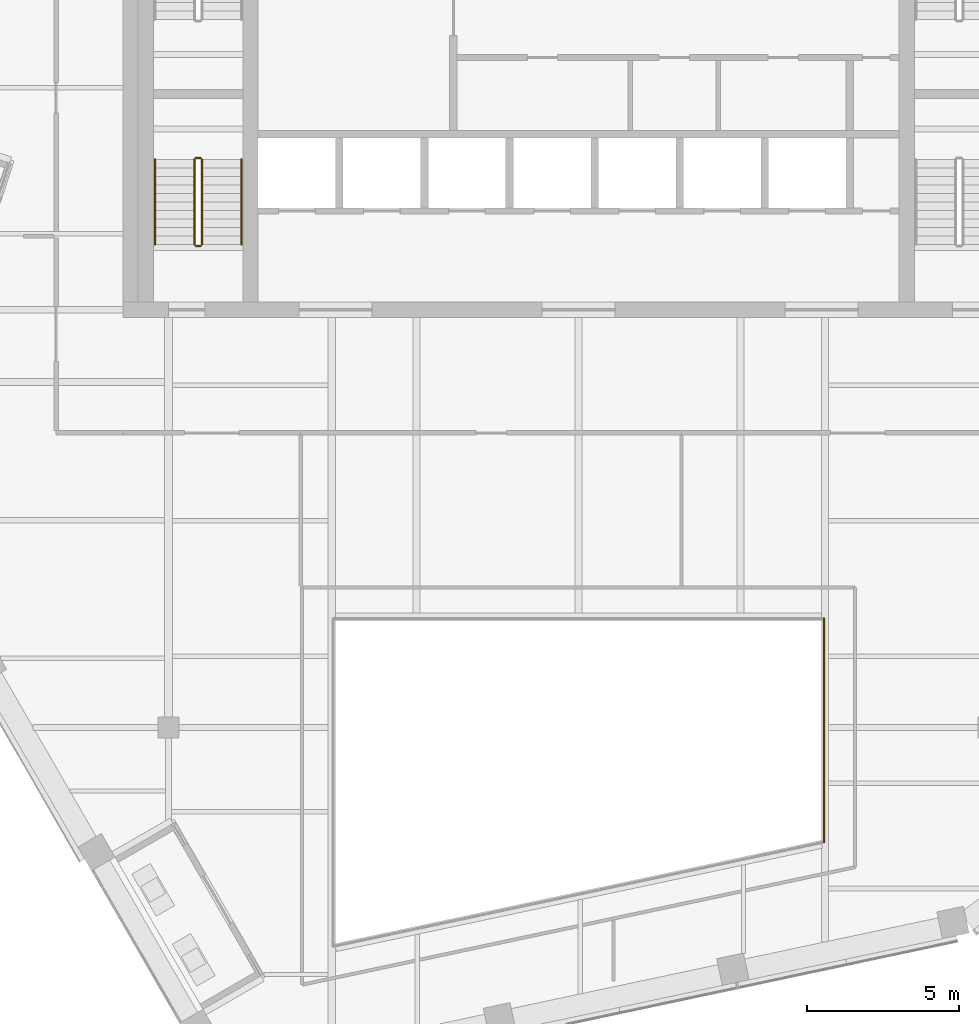
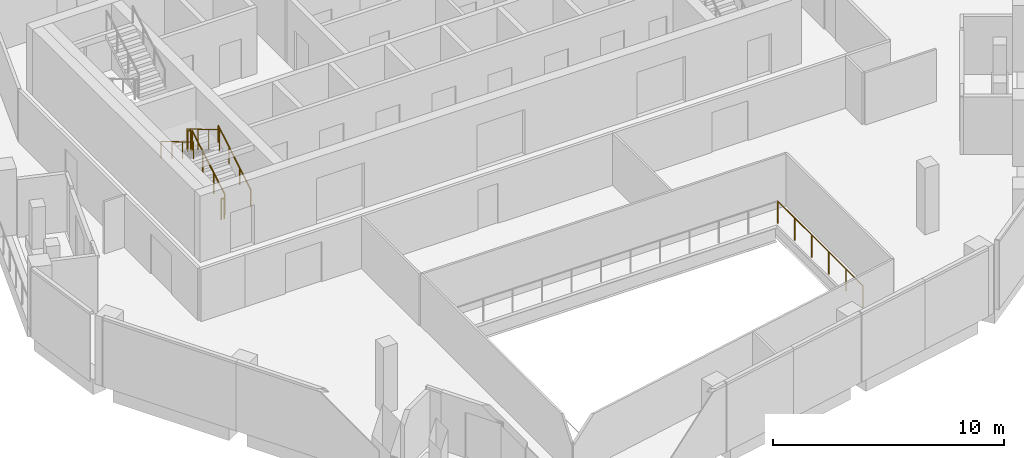
# One storey, part 16 of 20: 7 railings.
"""IFC4 building model written with IfcOpenShell, lengths in metres."""

from ifc_helpers import new_model, si_unit, direction, frame, origin, origin_2d, place, context, subcontext, project, spatial, circle, extrude, material, type_object, element, save


model = new_model("IFC4")

# Units and contexts
model_context = context("Model", 3, precision=1e-05, world=origin(), true_north=direction((0.0, 1.0)))
body_context = subcontext(model_context, "Body", "Model", "MODEL_VIEW")
ifc_project = project(units=[si_unit("LENGTHUNIT", "METRE"), si_unit("AREAUNIT", "SQUARE_METRE"), si_unit("VOLUMEUNIT", "CUBIC_METRE"), si_unit("PLANEANGLEUNIT", "RADIAN"), si_unit("MASSUNIT", "GRAM", prefix="KILO")], contexts=[model_context])

# Site, building, storey
site_placement = place(None, origin())
site = spatial("IfcSite", under=ifc_project, at=site_placement, CompositionType="ELEMENT")
building_placement = place(site_placement, origin())
building = spatial("IfcBuilding", under=site, at=building_placement, Name="Isthmus Gate Tower", CompositionType="ELEMENT")
storey_placement = place(building_placement, frame((0.0, 0.0, 279.199951171875)))
storey = spatial("IfcBuildingStorey", under=building, at=storey_placement, Name="L71", CompositionType="ELEMENT", Elevation=279.199951171875)

# Railings
ifc_material_1 = material(Name="Laminated toughened glass balustrade with steel rail", Category="steel")
railing_type_1 = type_object("IfcRailingType", Name="ATRIUM GUARD GLASS BALUSTRADE 1200", PredefinedType="GUARDRAIL", material=ifc_material_1)
railing_1_placement = place(storey_placement, frame((8.080078125, -9.919921875, 0.0)))
element("IfcRailing", 1, at=railing_1_placement, inside=storey, type_object=railing_type_1, Name="L71 atrium guard", PredefinedType="GUARDRAIL", context=body_context, shape_type="SweptSolid", body=[
    extrude(circle(Radius=0.02490234375, at=origin_2d()), frame((0.0, 0.0, 1.1748046875), z_axis=(0.0, -1.0, 0.0), x_axis=(1.0, 0.0, 0.0)), (0.0, 0.0, 1.0), 7.35498046875),
    extrude(circle(Radius=0.02490234375, at=origin_2d()), origin(), (0.0, 0.0, 1.0), 1.14990234375),
    extrude(circle(Radius=0.02490234375, at=origin_2d()), frame((0.0, -1.470947265625, 0.0)), (0.0, 0.0, 1.0), 1.14990234375),
    extrude(circle(Radius=0.02490234375, at=origin_2d()), frame((0.0, -2.94189453125, 0.0)), (0.0, 0.0, 1.0), 1.14990234375),
    extrude(circle(Radius=0.02490234375, at=origin_2d()), frame((0.0, -4.4130859375, 0.0)), (0.0, 0.0, 1.0), 1.14990234375),
    extrude(circle(Radius=0.02490234375, at=origin_2d()), frame((0.0, -5.884033203125, 0.0)), (0.0, 0.0, 1.0), 1.14990234375),
    extrude(circle(Radius=0.02490234375, at=origin_2d()), frame((0.0, -7.35498046875, 0.0)), (0.0, 0.0, 1.0), 1.14990234375),
])
ifc_material_2 = material(Name="Stainless steel balustrade", Category="steel")
railing_type_2 = type_object("IfcRailingType", Name="STAIR GUARD 1100", PredefinedType="GUARDRAIL", material=ifc_material_2)
railing_2_placement = place(storey_placement, frame((-12.39990234375, 2.39990234375, 0.166015625)))
element("IfcRailing", 2, at=railing_2_placement, inside=storey, type_object=railing_type_2, Name="L71 ST7 stair guard 1", PredefinedType="GUARDRAIL", context=body_context, shape_type="SweptSolid", body=[
    extrude(circle(Radius=0.02392578125, at=origin_2d()), frame((0.0, 0.0, 1.076171875), z_axis=(0.0, 0.860339051648, 0.50972219513), x_axis=(-1.0, 0.0, 0.0)), (0.0, 0.0, 1.0), 3.254638671875),
    extrude(circle(Radius=0.02099609375, at=origin_2d()), origin(), (0.0, 0.0, 1.0), 1.052001953125),
    extrude(circle(Radius=0.02099609375, at=origin_2d()), frame((0.0, 0.933349609375, 0.552978515625)), (0.0, 0.0, 1.0), 1.052001953125),
    extrude(circle(Radius=0.02099609375, at=origin_2d()), frame((0.0, 1.86669921875, 1.10595703125)), (0.0, 0.0, 1.0), 1.052001953125),
    extrude(circle(Radius=0.02099609375, at=origin_2d()), frame((0.0, 2.800048828125, 1.658935546875)), (0.0, 0.0, 1.0), 1.052001953125),
])
railing_3_placement = place(storey_placement, frame((-12.449951171875, 5.25, 1.824951171875)))
element("IfcRailing", 3, at=railing_3_placement, inside=storey, type_object=railing_type_2, Name="L71 ST7 stair guard 2", PredefinedType="GUARDRAIL", context=body_context, shape_type="SweptSolid", body=[
    extrude(circle(Radius=0.02392578125, at=origin_2d()), frame((0.0, 0.0, 1.076171875), z_axis=(-1.0, 0.0, 0.0), x_axis=(0.0, -1.0, 0.0)), (0.0, 0.0, 1.0), 0.150146484375),
    extrude(circle(Radius=0.02099609375, at=origin_2d()), origin(), (0.0, 0.0, 1.0), 1.052001953125),
    extrude(circle(Radius=0.02099609375, at=origin_2d()), frame((-0.150146484375, 0.0, 0.0)), (0.0, 0.0, 1.0), 1.052001953125),
])
railing_4_placement = place(storey_placement, frame((-12.64990234375, 5.199951171875, 1.990966796875)))
element("IfcRailing", 4, at=railing_4_placement, inside=storey, type_object=railing_type_2, Name="L71 ST7 stair guard 3", PredefinedType="GUARDRAIL", context=body_context, shape_type="SweptSolid", body=[
    extrude(circle(Radius=0.02392578125, at=origin_2d()), frame((0.0, 0.0, 1.076171875), z_axis=(0.0, -0.860306154799, 0.50977771628), x_axis=(1.0, 0.0, 0.0)), (0.0, 0.0, 1.0), 3.254638671875),
    extrude(circle(Radius=0.02099609375, at=origin_2d()), origin(), (0.0, 0.0, 1.0), 1.052001953125),
    extrude(circle(Radius=0.02099609375, at=origin_2d()), frame((0.0, -0.933349609375, 0.552978515625)), (0.0, 0.0, 1.0), 1.052001953125),
    extrude(circle(Radius=0.02099609375, at=origin_2d()), frame((0.0, -1.86669921875, 1.106201171875)), (0.0, 0.0, 1.0), 1.052001953125),
    extrude(circle(Radius=0.02099609375, at=origin_2d()), frame((0.0, -2.800048828125, 1.6591796875)), (0.0, 0.0, 1.0), 1.052001953125),
])
railing_5_placement = place(storey_placement, frame((-12.449951171875, 2.35009765625, 0.0)))
element("IfcRailing", 5, at=railing_5_placement, inside=storey, type_object=railing_type_2, Name="L71 ST7 stair guard 4", PredefinedType="GUARDRAIL", context=body_context, shape_type="SweptSolid", body=[
    extrude(circle(Radius=0.02392578125, at=origin_2d()), frame((0.0, 0.0, 1.076171875), z_axis=(-1.0, 0.0, 0.0), x_axis=(0.0, -1.0, 0.0)), (0.0, 0.0, 1.0), 0.150146484375),
    extrude(circle(Radius=0.02099609375, at=origin_2d()), origin(), (0.0, 0.0, 1.0), 1.052001953125),
    extrude(circle(Radius=0.02099609375, at=origin_2d()), frame((-0.150146484375, 0.0, 0.0)), (0.0, 0.0, 1.0), 1.052001953125),
])
ifc_material_3 = material(Name="Stainless steel handrail", Category="steel")
railing_type_3 = type_object("IfcRailingType", Name="STAIR HANDRAIL 900", PredefinedType="HANDRAIL", material=ifc_material_3)
railing_6_placement = place(storey_placement, frame((-11.10009765625, 2.39990234375, 0.166015625)))
element("IfcRailing", 6, at=railing_6_placement, inside=storey, type_object=railing_type_3, Name="L71 ST7 stair handrail 1", PredefinedType="HANDRAIL", context=body_context, shape_type="SweptSolid", body=[
    extrude(circle(Radius=0.02392578125, at=origin_2d()), frame((0.0, 0.0, 0.8759765625), z_axis=(0.0, 0.860339051648, 0.50972219513), x_axis=(-1.0, 0.0, 0.0)), (0.0, 0.0, 1.0), 3.254638671875),
    extrude(circle(Radius=0.02099609375, at=origin_2d()), origin(), (0.0, 0.0, 1.0), 0.851806640625),
    extrude(circle(Radius=0.02099609375, at=origin_2d()), frame((0.0, 0.933349609375, 0.552978515625)), (0.0, 0.0, 1.0), 0.851806640625),
    extrude(circle(Radius=0.02099609375, at=origin_2d()), frame((0.0, 1.86669921875, 1.10595703125)), (0.0, 0.0, 1.0), 0.851806640625),
    extrude(circle(Radius=0.02099609375, at=origin_2d()), frame((0.0, 2.800048828125, 1.658935546875)), (0.0, 0.0, 1.0), 0.851806640625),
])
railing_7_placement = place(storey_placement, frame((-13.949951171875, 5.199951171875, 1.990966796875)))
element("IfcRailing", 7, at=railing_7_placement, inside=storey, type_object=railing_type_3, Name="L71 ST7 stair handrail 2", PredefinedType="HANDRAIL", context=body_context, shape_type="SweptSolid", body=[
    extrude(circle(Radius=0.02392578125, at=origin_2d()), frame((0.0, 0.0, 0.8759765625), z_axis=(0.0, -0.860306154799, 0.50977771628), x_axis=(1.0, 0.0, 0.0)), (0.0, 0.0, 1.0), 3.254638671875),
    extrude(circle(Radius=0.02099609375, at=origin_2d()), origin(), (0.0, 0.0, 1.0), 0.851806640625),
    extrude(circle(Radius=0.02099609375, at=origin_2d()), frame((0.0, -0.933349609375, 0.552978515625)), (0.0, 0.0, 1.0), 0.851806640625),
    extrude(circle(Radius=0.02099609375, at=origin_2d()), frame((0.0, -1.86669921875, 1.106201171875)), (0.0, 0.0, 1.0), 0.851806640625),
    extrude(circle(Radius=0.02099609375, at=origin_2d()), frame((0.0, -2.800048828125, 1.6591796875)), (0.0, 0.0, 1.0), 0.851806640625),
])

save(model, "model.ifc")
